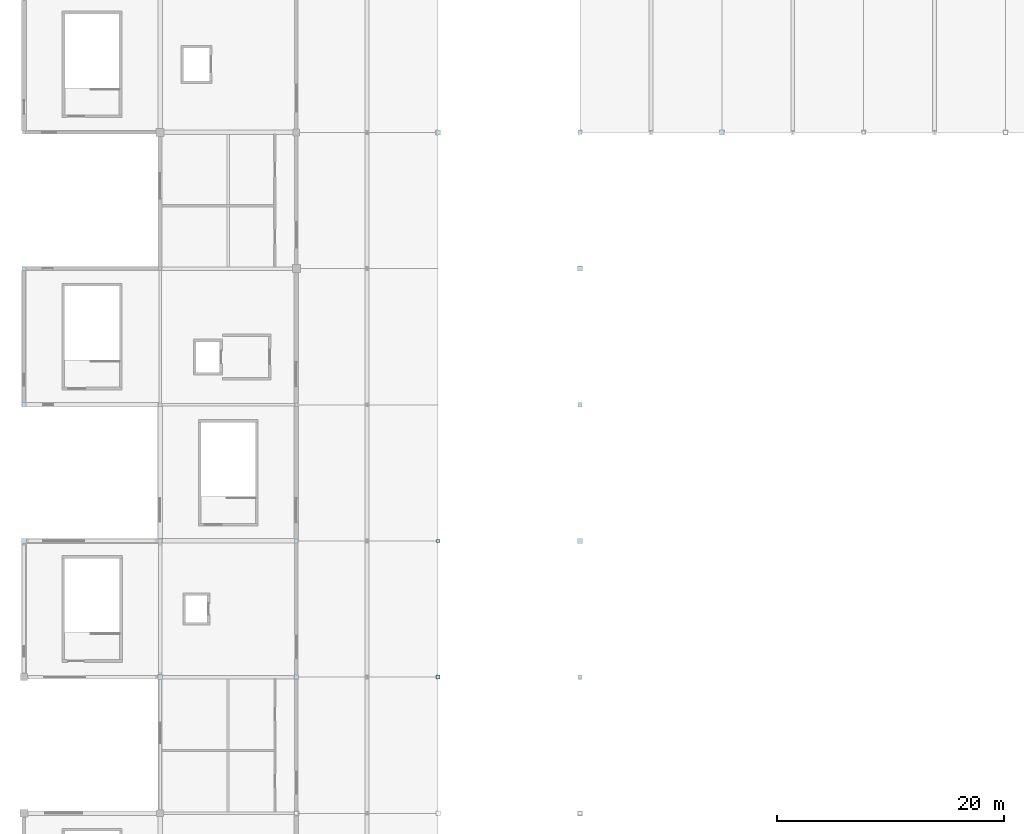
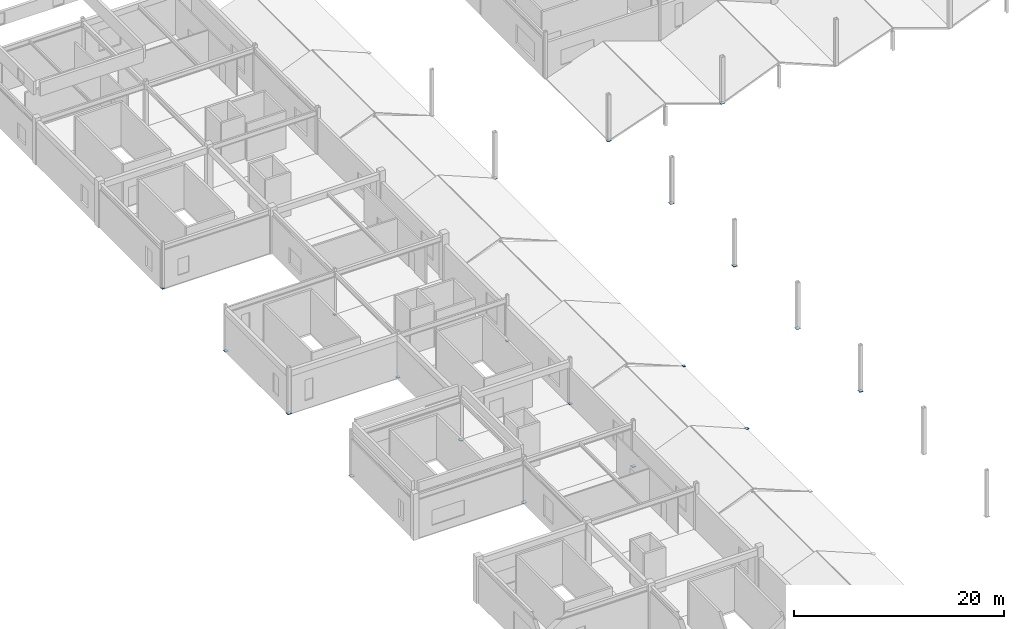
# One storey, part 54 of 76: 20 plates.
"""IFC4 building model written with IfcOpenShell, lengths in metres."""

from ifc_helpers import new_model, si_unit, direction, frame, origin, origin_2d, place, context, subcontext, project, spatial, rectangle, extrude, material, layer, layer_set, type_object, element, save


model = new_model("IFC4")

# Units and contexts
model_context = context("Model", 3, precision=1e-05, world=origin(), true_north=direction((0.0, 1.0)))
body_context = subcontext(model_context, "Body", "Model", "MODEL_VIEW")
ifc_project = project(units=[si_unit("LENGTHUNIT", "METRE"), si_unit("AREAUNIT", "SQUARE_METRE"), si_unit("VOLUMEUNIT", "CUBIC_METRE"), si_unit("PLANEANGLEUNIT", "RADIAN"), si_unit("MASSUNIT", "GRAM", prefix="KILO")], contexts=[model_context])

# Site, building, storey
site_placement = place(None, origin())
site = spatial("IfcSite", under=ifc_project, at=site_placement, CompositionType="ELEMENT")
building_placement = place(site_placement, origin())
building = spatial("IfcBuilding", under=site, at=building_placement, Name="Kazenohara Klinker Stadium", CompositionType="ELEMENT")
storey_placement = place(building_placement, frame((0.0, 0.0, 25.800048828125)))
storey = spatial("IfcBuildingStorey", under=building, at=storey_placement, Name="L05", CompositionType="ELEMENT", Elevation=25.800048828125)

# Plates
ifc_material = material(Name="Steel S355", Category="steel")
ifc_layer_1 = layer(ifc_material, 0.02001953125)
ifc_layer_set_1 = layer_set([ifc_layer_1], Name="Steel S355")
plate_type_1 = type_object("IfcPlateType", Name="PLT-GP01", PredefinedType="USERDEFINED", material=ifc_layer_set_1)
plate_1_placement = place(storey_placement, frame((49.0, 84.0, -0.010009765625), z_axis=(0.0, 0.0, 1.0), x_axis=(1.0, 0.0, 0.0)))
element("IfcPlate", 1, at=plate_1_placement, inside=storey, type_object=plate_type_1, Name="Hollow column end-cap plate GP01 L05 5/H", ObjectType="GUSSET PLATE", PredefinedType="USERDEFINED", context=body_context, shape_type="SweptSolid", body=[
    extrude(rectangle(XDim=0.389892578125, YDim=0.389892578125, at=origin_2d()), origin(), (0.0, 0.0, 1.0), 0.02001953125),
])
ifc_layer_2 = layer(ifc_material, 0.02197265625)
ifc_layer_set_2 = layer_set([ifc_layer_2], Name="Steel S355")
plate_type_2 = type_object("IfcPlateType", Name="PLT-GP02", PredefinedType="USERDEFINED", material=ifc_layer_set_2)
for number, where, z_axis, x_axis, name in (
    (2, (36.5, 132.0, -0.010986328125), (0.0, 0.0, 1.0), (1.0, 0.0, 0.0), "Hollow column end-cap plate GP02 L05 4/M"),
    (3, (49.0, 96.0, -0.010986328125), (0.0, 0.0, 1.0), (1.0, 0.0, 0.0), "Hollow column end-cap plate GP02 L05 5/J"),
    (4, (61.5, 132.0, -0.010986328125), (0.0, 0.0, 1.0), (1.0, 0.0, 0.0), "Hollow column end-cap plate GP02 L05 6/M"),
):
    element("IfcPlate", number, at=place(storey_placement, frame(where, z_axis=z_axis, x_axis=x_axis)), inside=storey, type_object=plate_type_2, Name=name, ObjectType="GUSSET PLATE", PredefinedType="USERDEFINED", context=body_context, shape_type="SweptSolid", body=[
        extrude(rectangle(XDim=0.43994140625, YDim=0.43994140625, at=origin_2d()), origin(), (0.0, 0.0, 1.0), 0.02197265625),
    ])
ifc_layer_3 = layer(ifc_material, 0.02392578125)
ifc_layer_set_3 = layer_set([ifc_layer_3], Name="Steel S355")
plate_type_3 = type_object("IfcPlateType", Name="PLT-GP03", PredefinedType="USERDEFINED", material=ifc_layer_set_3)
plate_2_placement = place(storey_placement, frame((0.0, 108.0, -0.011962890625), z_axis=(0.0, 0.0, 1.0), x_axis=(1.0, 0.0, 0.0)))
element("IfcPlate", 5, at=plate_2_placement, inside=storey, type_object=plate_type_3, Name="Hollow column end-cap plate GP03 L05 1/K", ObjectType="GUSSET PLATE", PredefinedType="USERDEFINED", context=body_context, shape_type="SweptSolid", body=[
    extrude(rectangle(XDim=0.389892578125, YDim=0.389892578125, at=origin_2d()), origin(), (0.0, 0.0, 1.0), 0.02392578125),
])
plate_3_placement = place(storey_placement, frame((0.0, 120.0, -0.011962890625), z_axis=(0.0, 0.0, 1.0), x_axis=(1.0, 0.0, 0.0)))
element("IfcPlate", 6, at=plate_3_placement, inside=storey, type_object=plate_type_3, Name="Hollow column end-cap plate GP03 L05 1/L", ObjectType="GUSSET PLATE", PredefinedType="USERDEFINED", context=body_context, shape_type="SweptSolid", body=[
    extrude(rectangle(XDim=0.340087890625, YDim=0.340087890625, at=origin_2d()), origin(), (0.0, 0.0, 1.0), 0.02392578125),
])
plate_4_placement = place(storey_placement, frame((0.0, 132.0, -0.011962890625), z_axis=(0.0, 0.0, 1.0), x_axis=(1.0, 0.0, 0.0)))
element("IfcPlate", 7, at=plate_4_placement, inside=storey, type_object=plate_type_3, Name="Hollow column end-cap plate GP03 L05 1/M", ObjectType="GUSSET PLATE", PredefinedType="USERDEFINED", context=body_context, shape_type="SweptSolid", body=[
    extrude(rectangle(XDim=0.2900390625, YDim=0.2900390625, at=origin_2d()), origin(), (0.0, 0.0, 1.0), 0.02392578125),
])
plate_5_placement = place(storey_placement, frame((12.0, 96.0, -0.011962890625), z_axis=(0.0, 0.0, 1.0), x_axis=(1.0, 0.0, 0.0)))
element("IfcPlate", 8, at=plate_5_placement, inside=storey, type_object=plate_type_3, Name="Hollow column end-cap plate GP03 L05 2/J", ObjectType="GUSSET PLATE", PredefinedType="USERDEFINED", context=body_context, shape_type="SweptSolid", body=[
    extrude(rectangle(XDim=0.389892578125, YDim=0.389892578125, at=origin_2d()), origin(), (0.0, 0.0, 1.0), 0.02392578125),
])
plate_6_placement = place(storey_placement, frame((12.0, 108.0, -0.011962890625), z_axis=(0.0, 0.0, 1.0), x_axis=(1.0, 0.0, 0.0)))
element("IfcPlate", 9, at=plate_6_placement, inside=storey, type_object=plate_type_3, Name="Hollow column end-cap plate GP03 L05 2/K", ObjectType="GUSSET PLATE", PredefinedType="USERDEFINED", context=body_context, shape_type="SweptSolid", body=[
    extrude(rectangle(XDim=0.340087890625, YDim=0.340087890625, at=origin_2d()), origin(), (0.0, 0.0, 1.0), 0.02392578125),
])
plate_7_placement = place(storey_placement, frame((12.0, 120.0, -0.011962890625), z_axis=(0.0, 0.0, 1.0), x_axis=(1.0, 0.0, 0.0)))
element("IfcPlate", 10, at=plate_7_placement, inside=storey, type_object=plate_type_3, Name="Hollow column end-cap plate GP03 L05 2/L", ObjectType="GUSSET PLATE", PredefinedType="USERDEFINED", context=body_context, shape_type="SweptSolid", body=[
    extrude(rectangle(XDim=0.2900390625, YDim=0.2900390625, at=origin_2d()), origin(), (0.0, 0.0, 1.0), 0.02392578125),
])
plate_8_placement = place(storey_placement, frame((24.0, 84.0, -0.011962890625), z_axis=(0.0, 0.0, 1.0), x_axis=(1.0, 0.0, 0.0)))
element("IfcPlate", 11, at=plate_8_placement, inside=storey, type_object=plate_type_3, Name="Hollow column end-cap plate GP03 L05 3/H", ObjectType="GUSSET PLATE", PredefinedType="USERDEFINED", context=body_context, shape_type="SweptSolid", body=[
    extrude(rectangle(XDim=0.389892578125, YDim=0.389892578125, at=origin_2d()), origin(), (0.0, 0.0, 1.0), 0.02392578125),
])
plate_9_placement = place(storey_placement, frame((24.0, 96.0, -0.011962890625), z_axis=(0.0, 0.0, 1.0), x_axis=(1.0, 0.0, 0.0)))
element("IfcPlate", 12, at=plate_9_placement, inside=storey, type_object=plate_type_3, Name="Hollow column end-cap plate GP03 L05 3/J", ObjectType="GUSSET PLATE", PredefinedType="USERDEFINED", context=body_context, shape_type="SweptSolid", body=[
    extrude(rectangle(XDim=0.340087890625, YDim=0.340087890625, at=origin_2d()), origin(), (0.0, 0.0, 1.0), 0.02392578125),
])
for number, where, z_axis, x_axis, name in (
    (13, (24.0, 108.0, -0.011962890625), (0.0, 0.0, 1.0), (1.0, 0.0, 0.0), "Hollow column end-cap plate GP03 L05 3/K"),
    (14, (36.5, 96.0, -0.011962890625), (0.0, 0.0, 1.0), (1.0, 0.0, 0.0), "Hollow column end-cap plate GP03 L05 4/J"),
):
    element("IfcPlate", number, at=place(storey_placement, frame(where, z_axis=z_axis, x_axis=x_axis)), inside=storey, type_object=plate_type_3, Name=name, ObjectType="GUSSET PLATE", PredefinedType="USERDEFINED", context=body_context, shape_type="SweptSolid", body=[
        extrude(rectangle(XDim=0.2900390625, YDim=0.2900390625, at=origin_2d()), origin(), (0.0, 0.0, 1.0), 0.02392578125),
    ])
plate_10_placement = place(storey_placement, frame((49.0, 108.0, -0.011962890625), z_axis=(0.0, 0.0, 1.0), x_axis=(1.0, 0.0, 0.0)))
element("IfcPlate", 15, at=plate_10_placement, inside=storey, type_object=plate_type_3, Name="Hollow column end-cap plate GP03 L05 5/K", ObjectType="GUSSET PLATE", PredefinedType="USERDEFINED", context=body_context, shape_type="SweptSolid", body=[
    extrude(rectangle(XDim=0.389892578125, YDim=0.389892578125, at=origin_2d()), origin(), (0.0, 0.0, 1.0), 0.02392578125),
])
ifc_layer_4 = layer(ifc_material, 0.02490234375)
ifc_layer_set_4 = layer_set([ifc_layer_4], Name="Steel S355")
plate_type_4 = type_object("IfcPlateType", Name="PLT-GP04", PredefinedType="USERDEFINED", material=ifc_layer_set_4)
for number, where, z_axis, x_axis, name in (
    (16, (0.0, 96.0, -0.012451171875), (0.0, 0.0, 1.0), (1.0, 0.0, 0.0), "Hollow column end-cap plate GP04 L05 1/J"),
    (17, (12.0, 84.0, -0.012451171875), (0.0, 0.0, 1.0), (1.0, 0.0, 0.0), "Hollow column end-cap plate GP04 L05 2/H"),
):
    element("IfcPlate", number, at=place(storey_placement, frame(where, z_axis=z_axis, x_axis=x_axis)), inside=storey, type_object=plate_type_4, Name=name, ObjectType="GUSSET PLATE", PredefinedType="USERDEFINED", context=body_context, shape_type="SweptSolid", body=[
        extrude(rectangle(XDim=0.43994140625, YDim=0.43994140625, at=origin_2d()), origin(), (0.0, 0.0, 1.0), 0.02490234375),
    ])
plate_11_placement = place(storey_placement, frame((36.5, 84.0, -0.012451171875), z_axis=(0.0, 0.0, 1.0), x_axis=(1.0, 0.0, 0.0)))
element("IfcPlate", 18, at=plate_11_placement, inside=storey, type_object=plate_type_4, Name="Hollow column end-cap plate GP04 L05 4/H", ObjectType="GUSSET PLATE", PredefinedType="USERDEFINED", context=body_context, shape_type="SweptSolid", body=[
    extrude(rectangle(XDim=0.340087890625, YDim=0.340087890625, at=origin_2d()), origin(), (0.0, 0.0, 1.0), 0.02490234375),
])
plate_12_placement = place(storey_placement, frame((49.0, 120.0, -0.012451171875), z_axis=(0.0, 0.0, 1.0), x_axis=(1.0, 0.0, 0.0)))
element("IfcPlate", 19, at=plate_12_placement, inside=storey, type_object=plate_type_4, Name="Hollow column end-cap plate GP04 L05 5/L", ObjectType="GUSSET PLATE", PredefinedType="USERDEFINED", context=body_context, shape_type="SweptSolid", body=[
    extrude(rectangle(XDim=0.43994140625, YDim=0.43994140625, at=origin_2d()), origin(), (0.0, 0.0, 1.0), 0.02490234375),
])
plate_13_placement = place(storey_placement, frame((49.0, 132.0, -0.012451171875), z_axis=(0.0, 0.0, 1.0), x_axis=(1.0, 0.0, 0.0)))
element("IfcPlate", 20, at=plate_13_placement, inside=storey, type_object=plate_type_4, Name="Hollow column end-cap plate GP04 L05 5/M", ObjectType="GUSSET PLATE", PredefinedType="USERDEFINED", context=body_context, shape_type="SweptSolid", body=[
    extrude(rectangle(XDim=0.389892578125, YDim=0.389892578125, at=origin_2d()), origin(), (0.0, 0.0, 1.0), 0.02490234375),
])

save(model, "model.ifc")
